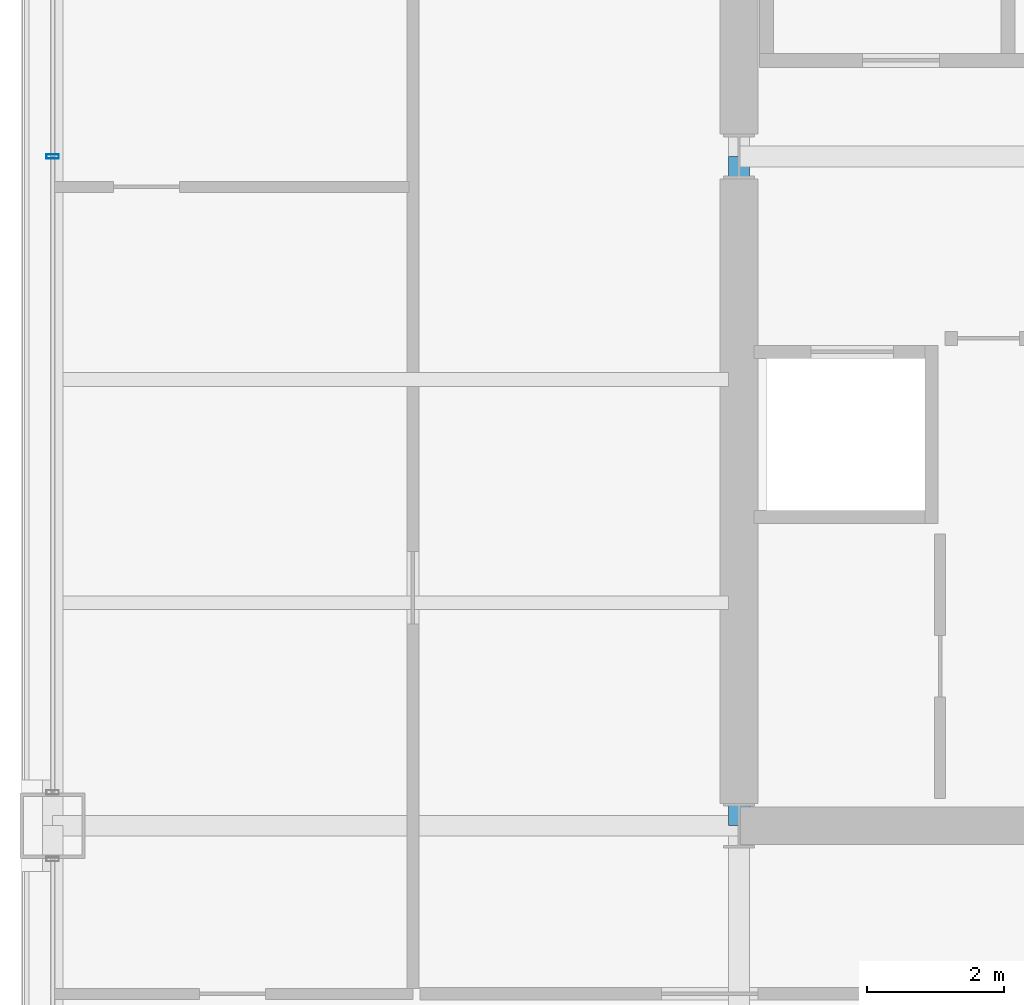
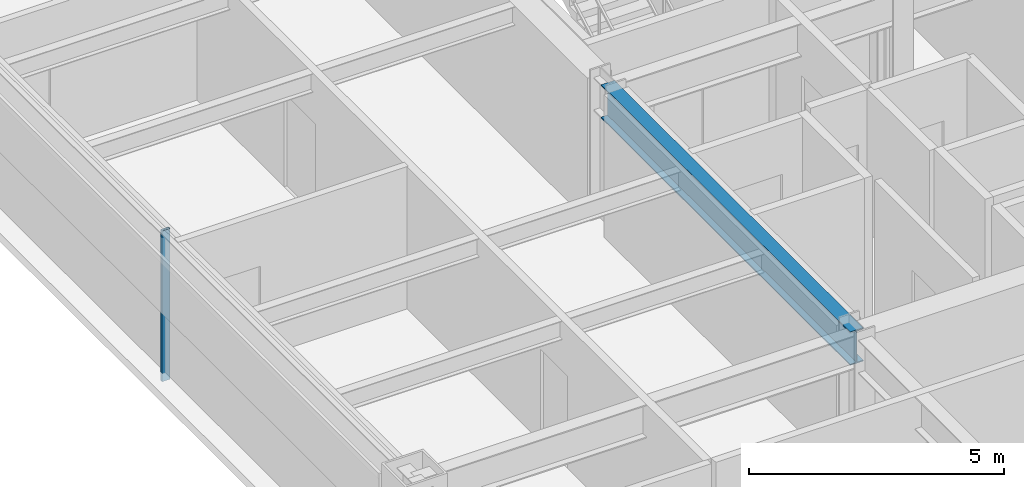
# One storey, part 7 of 28: 1 beam, 1 member, 1 element without a shape of its own.
"""IFC4 building model written with IfcOpenShell, lengths in metres."""

from ifc_helpers import new_model, si_unit, direction, frame, origin, origin_2d, place, context, subcontext, project, spatial, hollow_rectangle, i_section, extrude, material, layer, layer_set, material_profile, profile_set, type_object, element, aggregate, save


model = new_model("IFC4")

# Units and contexts
model_context = context("Model", 3, precision=1e-05, world=origin(), true_north=direction((0.0, 1.0)))
body_context = subcontext(model_context, "Body", "Model", "MODEL_VIEW")
ifc_project = project(units=[si_unit("LENGTHUNIT", "METRE"), si_unit("AREAUNIT", "SQUARE_METRE"), si_unit("VOLUMEUNIT", "CUBIC_METRE"), si_unit("PLANEANGLEUNIT", "RADIAN"), si_unit("MASSUNIT", "GRAM", prefix="KILO")], contexts=[model_context])

# Site, building, storey
site_placement = place(None, origin())
site = spatial("IfcSite", under=ifc_project, at=site_placement, CompositionType="ELEMENT")
building_placement = place(site_placement, origin())
building = spatial("IfcBuilding", under=site, at=building_placement, Name="Brelmoor Portico Tower", CompositionType="ELEMENT")
storey_placement = place(building_placement, frame((0.0, 0.0, 49.199951171875)))
storey = spatial("IfcBuildingStorey", under=building, at=storey_placement, Name="L12", CompositionType="ELEMENT", Elevation=49.199951171875)

# Beam
ifc_material_1 = material(Name="Steel Q355B", Category="steel")
ifc_material_profile_1 = material_profile(ifc_material_1, i_section(OverallWidth=0.300048828125, OverallDepth=0.800048828125, WebThickness=0.013916015625, FlangeThickness=0.02587890625, at=origin_2d()), Name="HN 800x300x14x26")
ifc_profile_set_1 = profile_set([ifc_material_profile_1], Name="Steel Q355B")
beam_type = type_object("IfcBeamType", Name="BM-PG-800", PredefinedType="BEAM", material=ifc_profile_set_1)
beam_placement = place(storey_placement, frame((-14.550048828125, -9.75, 3.0), z_axis=(0.0, 1.0, 0.0), x_axis=(-1.0, 0.0, 0.0)))
element("IfcBeam", 1, at=beam_placement, inside=storey, type_object=beam_type, Name="L12 Primary Floor Girder PG-04", PredefinedType="BEAM", context=body_context, shape_type="SweptSolid", body=[
    extrude(i_section(OverallWidth=0.300048828125, OverallDepth=0.800048828125, WebThickness=0.013916015625, FlangeThickness=0.02587890625, at=origin_2d()), origin(), (0.0, 0.0, 1.0), 9.75),
])

# Curtain wall, member
ifc_material_2 = material(Name="Anodised Aluminium Alloy 6063-T6", Category="aluminium")
ifc_layer = layer(ifc_material_2, 0.179931640625)
ifc_layer_set = layer_set([ifc_layer], Name="Anodised Aluminium Alloy 6063-T6")
curtain_wall_type = type_object("IfcCurtainWallType", Name="CW-TOWER-Z1-XB", PredefinedType="NOTDEFINED", material=ifc_layer_set)
curtain_wall_placement = place(storey_placement, origin())
curtain_wall = element("IfcCurtainWall", 2, at=curtain_wall_placement, inside=storey, type_object=curtain_wall_type, Name="L12 Curtain Wall CW-L12-03-2", PredefinedType="NOTDEFINED")
ifc_material_profile_2 = material_profile(ifc_material_2, hollow_rectangle(XDim=0.06494140625, YDim=0.179931640625, WallThickness=0.00390625, at=origin_2d()), Name="ALU MULLION 65x180")
ifc_profile_set_2 = profile_set([ifc_material_profile_2], Name="Anodised Aluminium Alloy 6063-T6")
member_type = type_object("IfcMemberType", Name="MB-CW-MULL-180", PredefinedType="MULLION", material=ifc_profile_set_2)
member_placement = place(storey_placement, frame((-24.550048828125, 0.0, -0.199951171875), z_axis=(0.0, 0.0, 1.0), x_axis=(0.0, 1.0, 0.0)))
member = element("IfcMember", 3, at=member_placement, type_object=member_type, Name="CW-L12-03-2 Mullion 01", PredefinedType="MULLION", context=body_context, shape_type="SweptSolid", body=[
    extrude(hollow_rectangle(XDim=0.06494140625, YDim=0.179931640625, WallThickness=0.00390625, at=origin_2d()), origin(), (0.0, 0.0, 1.0), 3.60009765625),
])
aggregate(curtain_wall, [member])

save(model, "model.ifc")
